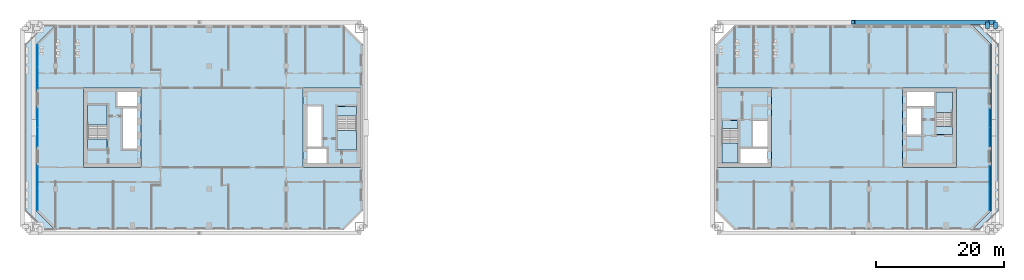
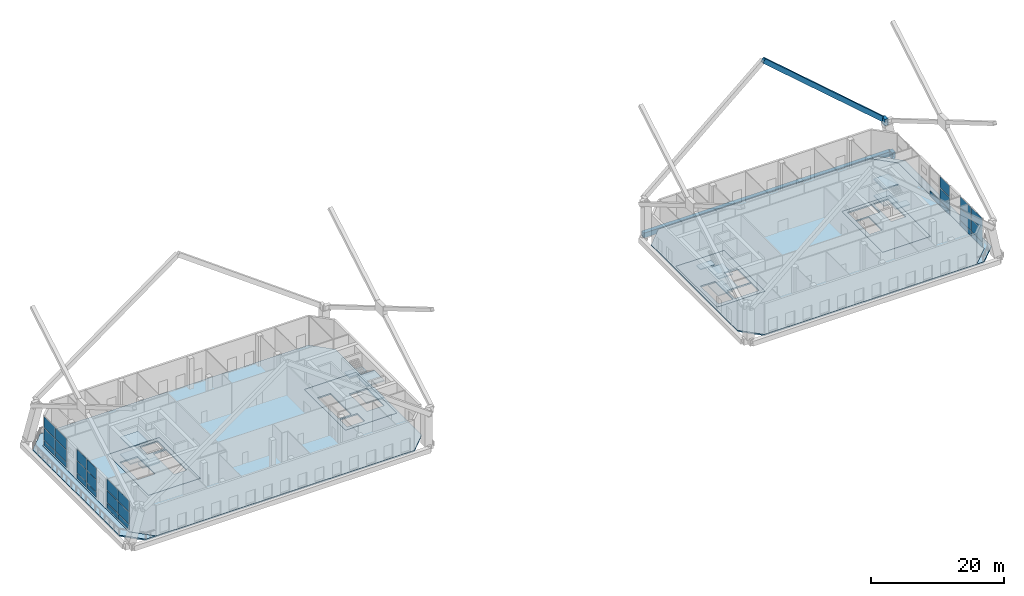
# One storey, part 7 of 20: 28 plates, 20 slabs, 3 beams, 1 member, 9 elements without a shape of their own.
"""IFC4 building model written with IfcOpenShell, lengths in metres."""

from ifc_helpers import new_model, si_unit, direction, frame, origin, origin_2d, place, context, subcontext, project, spatial, polyline, rectangle, hollow_rectangle, outline, extrude, material, layer, layer_set, material_profile, profile_set, type_object, element, aggregate, save


model = new_model("IFC4")

# Units and contexts
model_context = context("Model", 3, precision=1e-05, world=origin(), true_north=direction((0.0, 1.0)))
body_context = subcontext(model_context, "Body", "Model", "MODEL_VIEW")
ifc_project = project(units=[si_unit("LENGTHUNIT", "METRE"), si_unit("AREAUNIT", "SQUARE_METRE"), si_unit("VOLUMEUNIT", "CUBIC_METRE"), si_unit("PLANEANGLEUNIT", "RADIAN"), si_unit("MASSUNIT", "GRAM", prefix="KILO")], contexts=[model_context])

# Site, building, storey
site_placement = place(None, origin())
site = spatial("IfcSite", under=ifc_project, at=site_placement, CompositionType="ELEMENT")
building_placement = place(site_placement, origin())
building = spatial("IfcBuilding", under=site, at=building_placement, Name="Tuart Gate Housing", CompositionType="ELEMENT")
storey_placement = place(building_placement, frame((0.0, 0.0, 90.199951171875)))
storey = spatial("IfcBuildingStorey", under=building, at=storey_placement, Name="L25", CompositionType="ELEMENT", Elevation=90.199951171875)

# Beams
ifc_material_1 = material(Name="Steel Grade 350", Category="steel")
ifc_material_profile_1 = material_profile(ifc_material_1, hollow_rectangle(XDim=0.60009765625, YDim=1.199951171875, WallThickness=0.0400390625, at=origin_2d()), Name="BOX 1200x600x40")
ifc_profile_set_1 = profile_set([ifc_material_profile_1], Name="Steel Grade 350")
beam_type_1 = type_object("IfcBeamType", Name="Brace shoe BOX 1200x600x40", PredefinedType="BEAM", material=ifc_profile_set_1)
for number, where, z_axis, x_axis, name in (
    (1, (174.699951171875, 85.449951171875, -0.39990234375), (0.0, 1.0, 0.0), (-1.0, 0.0, 0.0), "Mega tie beam B node 3 north shoe 1 L25"),
    (2, (173.449951171875, 85.449951171875, 6.199951171875), (0.0, 1.0, 0.0), (-1.0, 0.0, 0.0), "Mega brace shoe B zone 4 north chevron 2"),
):
    element("IfcBeam", number, at=place(storey_placement, frame(where, z_axis=z_axis, x_axis=x_axis)), inside=storey, type_object=beam_type_1, Name=name, PredefinedType="BEAM", context=body_context, shape_type="SweptSolid", body=[
        extrude(hollow_rectangle(XDim=0.60009765625, YDim=1.199951171875, WallThickness=0.0400390625, at=origin_2d()), origin(), (0.0, 0.0, 1.0), 1.0),
    ])

# Member
ifc_material_2 = material(Name="Steel Grade 350", Category="steel")
ifc_material_profile_2 = material_profile(ifc_material_2, hollow_rectangle(XDim=0.639892578125, YDim=0.800048828125, WallThickness=0.0400390625, at=origin_2d()), Name="BOX 800x640x40")
ifc_profile_set_2 = profile_set([ifc_material_profile_2], Name="Steel Grade 350")
member_type = type_object("IfcMemberType", Name="Mega brace BOX 800x640x40", PredefinedType="BRACE", material=ifc_profile_set_2)
member_placement = place(storey_placement, frame((173.449951171875, 86.449951171875, 6.199951171875), z_axis=(-0.754911501589, 0.0, 0.65582667281), x_axis=(0.0, -1.0, 0.0)))
element("IfcMember", 3, at=member_placement, inside=storey, type_object=member_type, Name="Mega brace B zone 4 north chevron 2", PredefinedType="BRACE", context=body_context, shape_type="SweptSolid", body=[
    extrude(hollow_rectangle(XDim=0.639892578125, YDim=0.800048828125, WallThickness=0.0400390625, at=origin_2d()), origin(), (0.0, 0.0, 1.0), 27.75146484375),
])

# Beam
ifc_material_3 = material(Name="Steel Grade 350", Category="steel")
ifc_material_profile_3 = material_profile(ifc_material_3, hollow_rectangle(XDim=0.699951171875, YDim=0.89990234375, WallThickness=0.0400390625, at=origin_2d()), Name="BOX 900x700x40")
ifc_profile_set_3 = profile_set([ifc_material_profile_3], Name="Steel Grade 350")
beam_type_2 = type_object("IfcBeamType", Name="Tie beam BOX 900x700x40 (40.6-51.7 m)", PredefinedType="BEAM", material=ifc_profile_set_3)
beam_placement = place(storey_placement, frame((131.550048828125, 86.449951171875, -0.39990234375), z_axis=(1.0, 0.0, 0.0), x_axis=(0.0, 1.0, 0.0)))
element("IfcBeam", 4, at=beam_placement, inside=storey, type_object=beam_type_2, Name="Mega tie beam B node 3 north L25", PredefinedType="BEAM", context=body_context, shape_type="SweptSolid", body=[
    extrude(hollow_rectangle(XDim=0.699951171875, YDim=0.89990234375, WallThickness=0.0400390625, at=origin_2d()), origin(), (0.0, 0.0, 1.0), 43.14990234375),
])

# Slabs
ifc_material_4 = material(Name="Concrete C40", Category="concrete")
ifc_layer_1 = layer(ifc_material_4, 0.25)
ifc_layer_set_1 = layer_set([ifc_layer_1], Name="Core floor slab 250")
slab_type_1 = type_object("IfcSlabType", Name="Core floor slab 250", PredefinedType="FLOOR", material=ifc_layer_set_1)
slab_1_placement = place(storey_placement, frame((0.0, 0.0, -0.25)))
element("IfcSlab", 5, at=slab_1_placement, inside=storey, type_object=slab_type_1, Name="Core floor AG", PredefinedType="FLOOR", context=body_context, shape_type="SweptSolid", body=[
    extrude(outline(polyline([(66.639892578125, 63.800048828125), (75.639892578125, 63.800048828125), (75.639892578125, 76.199951171875), (66.639892578125, 76.199951171875), (66.639892578125, 63.800048828125)]), holes=[polyline([(67.2900390625, 64.449951171875), (70.360107421875, 64.449951171875), (70.360107421875, 66.699951171875), (67.2900390625, 66.699951171875), (67.2900390625, 64.449951171875)]), polyline([(67.2900390625, 67.0), (69.5400390625, 67.0), (69.5400390625, 73.300048828125), (67.2900390625, 73.300048828125), (67.2900390625, 67.0)]), polyline([(71.93994140625, 66.5), (74.989990234375, 66.5), (74.989990234375, 71.780029296875), (71.93994140625, 71.780029296875), (71.93994140625, 66.5)])]), origin(), (0.0, 0.0, 1.0), 0.25),
])
slab_2_placement = place(storey_placement, frame((0.0, 0.0, -0.25)))
element("IfcSlab", 6, at=slab_2_placement, inside=storey, type_object=slab_type_1, Name="Core floor AK", PredefinedType="FLOOR", context=body_context, shape_type="SweptSolid", body=[
    extrude(outline(polyline([(32.360107421875, 63.800048828125), (41.360107421875, 63.800048828125), (41.360107421875, 76.199951171875), (32.360107421875, 76.199951171875), (32.360107421875, 63.800048828125)]), holes=[polyline([(40.7099609375, 75.550048828125), (37.639892578125, 75.550048828125), (37.639892578125, 73.300048828125), (40.7099609375, 73.300048828125), (40.7099609375, 75.550048828125)]), polyline([(40.7099609375, 73.0), (38.4599609375, 73.0), (38.4599609375, 66.699951171875), (40.7099609375, 66.699951171875), (40.7099609375, 73.0)]), polyline([(36.06005859375, 73.5), (33.010009765625, 73.5), (33.010009765625, 68.219970703125), (36.06005859375, 68.219970703125), (36.06005859375, 73.5)])]), origin(), (0.0, 0.0, 1.0), 0.25),
])
slab_3_placement = place(storey_placement, frame((0.0, 0.0, -0.25)))
element("IfcSlab", 7, at=slab_3_placement, inside=storey, type_object=slab_type_1, Name="Core floor BG", PredefinedType="FLOOR", context=body_context, shape_type="SweptSolid", body=[
    extrude(outline(polyline([(131.360107421875, 63.800048828125), (139.760009765625, 63.800048828125), (139.760009765625, 76.199951171875), (131.360107421875, 76.199951171875), (131.360107421875, 63.800048828125)]), holes=[polyline([(139.110107421875, 66.85009765625), (134.860107421875, 66.85009765625), (134.860107421875, 64.449951171875), (139.110107421875, 64.449951171875), (139.110107421875, 66.85009765625)]), polyline([(139.110107421875, 71.10009765625), (136.860107421875, 71.10009765625), (136.860107421875, 67.0), (139.110107421875, 67.0), (139.110107421875, 71.10009765625)]), polyline([(134.56005859375, 69.830078125), (132.010009765625, 69.830078125), (132.010009765625, 64.449951171875), (134.56005859375, 64.449951171875), (134.56005859375, 69.830078125)])]), origin(), (0.0, 0.0, 1.0), 0.25),
])
slab_4_placement = place(storey_placement, frame((0.0, 0.0, -0.25)))
element("IfcSlab", 8, at=slab_4_placement, inside=storey, type_object=slab_type_1, Name="Core floor BK", PredefinedType="FLOOR", context=body_context, shape_type="SweptSolid", body=[
    extrude(outline(polyline([(160.239990234375, 63.800048828125), (168.639892578125, 63.800048828125), (168.639892578125, 76.199951171875), (160.239990234375, 76.199951171875), (160.239990234375, 63.800048828125)]), holes=[polyline([(160.889892578125, 73.14990234375), (165.139892578125, 73.14990234375), (165.139892578125, 75.550048828125), (160.889892578125, 75.550048828125), (160.889892578125, 73.14990234375)]), polyline([(160.889892578125, 68.89990234375), (163.139892578125, 68.89990234375), (163.139892578125, 73.0), (160.889892578125, 73.0), (160.889892578125, 68.89990234375)]), polyline([(165.43994140625, 70.169921875), (167.989990234375, 70.169921875), (167.989990234375, 75.550048828125), (165.43994140625, 75.550048828125), (165.43994140625, 70.169921875)])]), origin(), (0.0, 0.0, 1.0), 0.25),
])
ifc_material_5 = material(Name="Concrete C40", Category="concrete")
ifc_layer_2 = layer(ifc_material_5, 0.25)
ifc_layer_set_2 = layer_set([ifc_layer_2], Name="Flat plate 250")
slab_type_2 = type_object("IfcSlabType", Name="Flat plate 250", PredefinedType="FLOOR", material=ifc_layer_set_2)
slab_5_placement = place(storey_placement, frame((0.0, 0.0, -0.25)))
element("IfcSlab", 9, at=slab_5_placement, inside=storey, type_object=slab_type_2, Name="Floor slab A L25", PredefinedType="FLOOR", context=body_context, shape_type="SweptSolid", body=[
    extrude(outline(polyline([(28.0, 86.0), (25.0, 83.0), (25.0, 57.0), (28.0, 54.0), (73.0, 54.0), (76.0, 57.0), (76.0, 83.0), (73.0, 86.0), (28.0, 86.0)]), holes=[polyline([(66.639892578125, 76.199951171875), (75.639892578125, 76.199951171875), (75.639892578125, 63.800048828125), (66.639892578125, 63.800048828125), (66.639892578125, 76.199951171875)]), polyline([(41.360107421875, 76.199951171875), (41.360107421875, 63.800048828125), (32.360107421875, 63.800048828125), (32.360107421875, 76.199951171875), (41.360107421875, 76.199951171875)])]), origin(), (0.0, 0.0, 1.0), 0.25),
])
slab_6_placement = place(storey_placement, frame((0.0, 0.0, -0.25)))
element("IfcSlab", 10, at=slab_6_placement, inside=storey, type_object=slab_type_2, Name="Floor slab B L25", PredefinedType="FLOOR", context=body_context, shape_type="SweptSolid", body=[
    extrude(outline(polyline([(134.0, 86.0), (131.0, 83.0), (131.0, 57.0), (134.0, 54.0), (171.0, 54.0), (174.0, 57.0), (174.0, 83.0), (171.0, 86.0), (134.0, 86.0)]), holes=[polyline([(131.360107421875, 76.199951171875), (139.760009765625, 76.199951171875), (139.760009765625, 63.800048828125), (131.360107421875, 63.800048828125), (131.360107421875, 76.199951171875)]), polyline([(168.639892578125, 76.199951171875), (168.639892578125, 63.800048828125), (160.239990234375, 63.800048828125), (160.239990234375, 76.199951171875), (168.639892578125, 76.199951171875)])]), origin(), (0.0, 0.0, 1.0), 0.25),
])

# Curtain wall, plates
ifc_material_6 = material(Name="Aluminium and clear glass", Category="aluminium")
curtain_wall_type = type_object("IfcCurtainWallType", Name="Sky garden front glazing", PredefinedType="USERDEFINED", material=ifc_material_6)
curtain_wall_1_placement = place(storey_placement, origin())
curtain_wall_1 = element("IfcCurtainWall", 11, at=curtain_wall_1_placement, inside=storey, type_object=curtain_wall_type, Name="Sky garden front glazing A-W L25", ObjectType="SKY GARDEN FRONT GLAZING", PredefinedType="USERDEFINED")
ifc_material_7 = material(Name="Clear glass", Category="glass")
ifc_layer_3 = layer(ifc_material_7, 0.028076171875)
ifc_layer_set_3 = layer_set([ifc_layer_3], Name="Glazed panel 28")
plate_type = type_object("IfcPlateType", Name="Glazed panel 28", PredefinedType="CURTAIN_PANEL", material=ifc_layer_set_3)
plate_1_placement = place(storey_placement, frame((25.179931640625, 81.178955078125, 0.1201171875), z_axis=(0.0, 0.0, 1.0), x_axis=(0.0, -1.0, 0.0)))
plate_1 = element("IfcPlate", 12, at=plate_1_placement, type_object=plate_type, Name="CW4 panel 1.1", PredefinedType="CURTAIN_PANEL", context=body_context, shape_type="SweptSolid", body=[
    extrude(rectangle(XDim=3.372802734375, YDim=0.028076171875, at=origin_2d()), origin(), (0.0, 0.0, 1.0), 0.919921875),
])
plate_2_placement = place(storey_placement, frame((25.179931640625, 81.178955078125, 1.16015625), z_axis=(0.0, 0.0, 1.0), x_axis=(0.0, -1.0, 0.0)))
plate_2 = element("IfcPlate", 13, at=plate_2_placement, type_object=plate_type, Name="CW4 panel 1.2", PredefinedType="CURTAIN_PANEL", context=body_context, shape_type="SweptSolid", body=[
    extrude(rectangle(XDim=3.372802734375, YDim=0.028076171875, at=origin_2d()), origin(), (0.0, 0.0, 1.0), 2.179931640625),
])
plate_3_placement = place(storey_placement, frame((25.179931640625, 81.178955078125, 3.4599609375), z_axis=(0.0, 0.0, 1.0), x_axis=(0.0, -1.0, 0.0)))
plate_3 = element("IfcPlate", 14, at=plate_3_placement, type_object=plate_type, Name="CW4 panel 1.3", PredefinedType="CURTAIN_PANEL", context=body_context, shape_type="SweptSolid", body=[
    extrude(rectangle(XDim=3.372802734375, YDim=0.028076171875, at=origin_2d()), origin(), (0.0, 0.0, 1.0), 2.02001953125),
])
plate_4_placement = place(storey_placement, frame((25.179931640625, 77.746337890625, 0.1201171875), z_axis=(0.0, 0.0, 1.0), x_axis=(0.0, -1.0, 0.0)))
plate_4 = element("IfcPlate", 15, at=plate_4_placement, type_object=plate_type, Name="CW4 panel 2.1", PredefinedType="CURTAIN_PANEL", context=body_context, shape_type="SweptSolid", body=[
    extrude(rectangle(XDim=3.372802734375, YDim=0.028076171875, at=origin_2d()), origin(), (0.0, 0.0, 1.0), 0.919921875),
])
plate_5_placement = place(storey_placement, frame((25.179931640625, 77.746337890625, 1.16015625), z_axis=(0.0, 0.0, 1.0), x_axis=(0.0, -1.0, 0.0)))
plate_5 = element("IfcPlate", 16, at=plate_5_placement, type_object=plate_type, Name="CW4 panel 2.2", PredefinedType="CURTAIN_PANEL", context=body_context, shape_type="SweptSolid", body=[
    extrude(rectangle(XDim=3.372802734375, YDim=0.028076171875, at=origin_2d()), origin(), (0.0, 0.0, 1.0), 2.179931640625),
])
plate_6_placement = place(storey_placement, frame((25.179931640625, 77.746337890625, 3.4599609375), z_axis=(0.0, 0.0, 1.0), x_axis=(0.0, -1.0, 0.0)))
plate_6 = element("IfcPlate", 17, at=plate_6_placement, type_object=plate_type, Name="CW4 panel 2.3", PredefinedType="CURTAIN_PANEL", context=body_context, shape_type="SweptSolid", body=[
    extrude(rectangle(XDim=3.372802734375, YDim=0.028076171875, at=origin_2d()), origin(), (0.0, 0.0, 1.0), 2.02001953125),
])
aggregate(curtain_wall_1, [plate_1, plate_2, plate_3, plate_4, plate_5, plate_6])

curtain_wall_2_placement = place(storey_placement, origin())
curtain_wall_2 = element("IfcCurtainWall", 18, at=curtain_wall_2_placement, inside=storey, type_object=curtain_wall_type, Name="Sky garden front glazing A-W L25", ObjectType="SKY GARDEN FRONT GLAZING", PredefinedType="USERDEFINED")
plate_7_placement = place(storey_placement, frame((25.179931640625, 71.485107421875, 0.1201171875), z_axis=(0.0, 0.0, 1.0), x_axis=(0.0, -1.0, 0.0)))
plate_7 = element("IfcPlate", 19, at=plate_7_placement, type_object=plate_type, Name="CW4 panel 1.1", PredefinedType="CURTAIN_PANEL", context=body_context, shape_type="SweptSolid", body=[
    extrude(rectangle(XDim=2.909912109375, YDim=0.028076171875, at=origin_2d()), origin(), (0.0, 0.0, 1.0), 0.919921875),
])
plate_8_placement = place(storey_placement, frame((25.179931640625, 71.485107421875, 1.16015625), z_axis=(0.0, 0.0, 1.0), x_axis=(0.0, -1.0, 0.0)))
plate_8 = element("IfcPlate", 20, at=plate_8_placement, type_object=plate_type, Name="CW4 panel 1.2", PredefinedType="CURTAIN_PANEL", context=body_context, shape_type="SweptSolid", body=[
    extrude(rectangle(XDim=2.909912109375, YDim=0.028076171875, at=origin_2d()), origin(), (0.0, 0.0, 1.0), 2.179931640625),
])
plate_9_placement = place(storey_placement, frame((25.179931640625, 71.485107421875, 3.4599609375), z_axis=(0.0, 0.0, 1.0), x_axis=(0.0, -1.0, 0.0)))
plate_9 = element("IfcPlate", 21, at=plate_9_placement, type_object=plate_type, Name="CW4 panel 1.3", PredefinedType="CURTAIN_PANEL", context=body_context, shape_type="SweptSolid", body=[
    extrude(rectangle(XDim=2.909912109375, YDim=0.028076171875, at=origin_2d()), origin(), (0.0, 0.0, 1.0), 2.02001953125),
])
plate_10_placement = place(storey_placement, frame((25.179931640625, 68.514892578125, 0.1201171875), z_axis=(0.0, 0.0, 1.0), x_axis=(0.0, -1.0, 0.0)))
plate_10 = element("IfcPlate", 22, at=plate_10_placement, type_object=plate_type, Name="CW4 panel 2.1", PredefinedType="CURTAIN_PANEL", context=body_context, shape_type="SweptSolid", body=[
    extrude(rectangle(XDim=2.909912109375, YDim=0.028076171875, at=origin_2d()), origin(), (0.0, 0.0, 1.0), 0.919921875),
])
plate_11_placement = place(storey_placement, frame((25.179931640625, 68.514892578125, 1.16015625), z_axis=(0.0, 0.0, 1.0), x_axis=(0.0, -1.0, 0.0)))
plate_11 = element("IfcPlate", 23, at=plate_11_placement, type_object=plate_type, Name="CW4 panel 2.2", PredefinedType="CURTAIN_PANEL", context=body_context, shape_type="SweptSolid", body=[
    extrude(rectangle(XDim=2.909912109375, YDim=0.028076171875, at=origin_2d()), origin(), (0.0, 0.0, 1.0), 2.179931640625),
])
plate_12_placement = place(storey_placement, frame((25.179931640625, 68.514892578125, 3.4599609375), z_axis=(0.0, 0.0, 1.0), x_axis=(0.0, -1.0, 0.0)))
plate_12 = element("IfcPlate", 24, at=plate_12_placement, type_object=plate_type, Name="CW4 panel 2.3", PredefinedType="CURTAIN_PANEL", context=body_context, shape_type="SweptSolid", body=[
    extrude(rectangle(XDim=2.909912109375, YDim=0.028076171875, at=origin_2d()), origin(), (0.0, 0.0, 1.0), 2.02001953125),
])
aggregate(curtain_wall_2, [plate_7, plate_8, plate_9, plate_10, plate_11, plate_12])

curtain_wall_3_placement = place(storey_placement, origin())
curtain_wall_3 = element("IfcCurtainWall", 25, at=curtain_wall_3_placement, inside=storey, type_object=curtain_wall_type, Name="Sky garden front glazing A-W L25", ObjectType="SKY GARDEN FRONT GLAZING", PredefinedType="USERDEFINED")
plate_13_placement = place(storey_placement, frame((25.179931640625, 62.253662109375, 0.1201171875), z_axis=(0.0, 0.0, 1.0), x_axis=(0.0, -1.0, 0.0)))
plate_13 = element("IfcPlate", 26, at=plate_13_placement, type_object=plate_type, Name="CW4 panel 1.1", PredefinedType="CURTAIN_PANEL", context=body_context, shape_type="SweptSolid", body=[
    extrude(rectangle(XDim=3.372802734375, YDim=0.028076171875, at=origin_2d()), origin(), (0.0, 0.0, 1.0), 0.919921875),
])
plate_14_placement = place(storey_placement, frame((25.179931640625, 62.253662109375, 1.16015625), z_axis=(0.0, 0.0, 1.0), x_axis=(0.0, -1.0, 0.0)))
plate_14 = element("IfcPlate", 27, at=plate_14_placement, type_object=plate_type, Name="CW4 panel 1.2", PredefinedType="CURTAIN_PANEL", context=body_context, shape_type="SweptSolid", body=[
    extrude(rectangle(XDim=3.372802734375, YDim=0.028076171875, at=origin_2d()), origin(), (0.0, 0.0, 1.0), 2.179931640625),
])
plate_15_placement = place(storey_placement, frame((25.179931640625, 62.253662109375, 3.4599609375), z_axis=(0.0, 0.0, 1.0), x_axis=(0.0, -1.0, 0.0)))
plate_15 = element("IfcPlate", 28, at=plate_15_placement, type_object=plate_type, Name="CW4 panel 1.3", PredefinedType="CURTAIN_PANEL", context=body_context, shape_type="SweptSolid", body=[
    extrude(rectangle(XDim=3.372802734375, YDim=0.028076171875, at=origin_2d()), origin(), (0.0, 0.0, 1.0), 2.02001953125),
])
plate_16_placement = place(storey_placement, frame((25.179931640625, 58.82080078125, 0.1201171875), z_axis=(0.0, 0.0, 1.0), x_axis=(0.0, -1.0, 0.0)))
plate_16 = element("IfcPlate", 29, at=plate_16_placement, type_object=plate_type, Name="CW4 panel 2.1", PredefinedType="CURTAIN_PANEL", context=body_context, shape_type="SweptSolid", body=[
    extrude(rectangle(XDim=3.372802734375, YDim=0.028076171875, at=origin_2d()), origin(), (0.0, 0.0, 1.0), 0.919921875),
])
plate_17_placement = place(storey_placement, frame((25.179931640625, 58.82080078125, 1.16015625), z_axis=(0.0, 0.0, 1.0), x_axis=(0.0, -1.0, 0.0)))
plate_17 = element("IfcPlate", 30, at=plate_17_placement, type_object=plate_type, Name="CW4 panel 2.2", PredefinedType="CURTAIN_PANEL", context=body_context, shape_type="SweptSolid", body=[
    extrude(rectangle(XDim=3.372802734375, YDim=0.028076171875, at=origin_2d()), origin(), (0.0, 0.0, 1.0), 2.179931640625),
])
plate_18_placement = place(storey_placement, frame((25.179931640625, 58.82080078125, 3.4599609375), z_axis=(0.0, 0.0, 1.0), x_axis=(0.0, -1.0, 0.0)))
plate_18 = element("IfcPlate", 31, at=plate_18_placement, type_object=plate_type, Name="CW4 panel 2.3", PredefinedType="CURTAIN_PANEL", context=body_context, shape_type="SweptSolid", body=[
    extrude(rectangle(XDim=3.372802734375, YDim=0.028076171875, at=origin_2d()), origin(), (0.0, 0.0, 1.0), 2.02001953125),
])
aggregate(curtain_wall_3, [plate_13, plate_14, plate_15, plate_16, plate_17, plate_18])

curtain_wall_4_placement = place(storey_placement, origin())
curtain_wall_4 = element("IfcCurtainWall", 32, at=curtain_wall_4_placement, inside=storey, type_object=curtain_wall_type, Name="Sky garden front glazing B-E L25", ObjectType="SKY GARDEN FRONT GLAZING", PredefinedType="USERDEFINED")
plate_19_placement = place(storey_placement, frame((173.820068359375, 58.821044921875, 0.1201171875), z_axis=(0.0, 0.0, 1.0), x_axis=(0.0, 1.0, 0.0)))
plate_19 = element("IfcPlate", 33, at=plate_19_placement, type_object=plate_type, Name="CW4 panel 1.1", PredefinedType="CURTAIN_PANEL", context=body_context, shape_type="SweptSolid", body=[
    extrude(rectangle(XDim=3.372802734375, YDim=0.028076171875, at=origin_2d()), origin(), (0.0, 0.0, 1.0), 0.919921875),
])
plate_20_placement = place(storey_placement, frame((173.820068359375, 58.821044921875, 1.16015625), z_axis=(0.0, 0.0, 1.0), x_axis=(0.0, 1.0, 0.0)))
plate_20 = element("IfcPlate", 34, at=plate_20_placement, type_object=plate_type, Name="CW4 panel 1.2", PredefinedType="CURTAIN_PANEL", context=body_context, shape_type="SweptSolid", body=[
    extrude(rectangle(XDim=3.372802734375, YDim=0.028076171875, at=origin_2d()), origin(), (0.0, 0.0, 1.0), 2.179931640625),
])
plate_21_placement = place(storey_placement, frame((173.820068359375, 58.821044921875, 3.4599609375), z_axis=(0.0, 0.0, 1.0), x_axis=(0.0, 1.0, 0.0)))
plate_21 = element("IfcPlate", 35, at=plate_21_placement, type_object=plate_type, Name="CW4 panel 1.3", PredefinedType="CURTAIN_PANEL", context=body_context, shape_type="SweptSolid", body=[
    extrude(rectangle(XDim=3.372802734375, YDim=0.028076171875, at=origin_2d()), origin(), (0.0, 0.0, 1.0), 2.02001953125),
])
plate_22_placement = place(storey_placement, frame((173.820068359375, 62.253662109375, 0.1201171875), z_axis=(0.0, 0.0, 1.0), x_axis=(0.0, 1.0, 0.0)))
plate_22 = element("IfcPlate", 36, at=plate_22_placement, type_object=plate_type, Name="CW4 panel 2.1", PredefinedType="CURTAIN_PANEL", context=body_context, shape_type="SweptSolid", body=[
    extrude(rectangle(XDim=3.372802734375, YDim=0.028076171875, at=origin_2d()), origin(), (0.0, 0.0, 1.0), 0.919921875),
])
plate_23_placement = place(storey_placement, frame((173.820068359375, 62.253662109375, 1.16015625), z_axis=(0.0, 0.0, 1.0), x_axis=(0.0, 1.0, 0.0)))
plate_23 = element("IfcPlate", 37, at=plate_23_placement, type_object=plate_type, Name="CW4 panel 2.2", PredefinedType="CURTAIN_PANEL", context=body_context, shape_type="SweptSolid", body=[
    extrude(rectangle(XDim=3.372802734375, YDim=0.028076171875, at=origin_2d()), origin(), (0.0, 0.0, 1.0), 2.179931640625),
])
plate_24_placement = place(storey_placement, frame((173.820068359375, 62.253662109375, 3.4599609375), z_axis=(0.0, 0.0, 1.0), x_axis=(0.0, 1.0, 0.0)))
plate_24 = element("IfcPlate", 38, at=plate_24_placement, type_object=plate_type, Name="CW4 panel 2.3", PredefinedType="CURTAIN_PANEL", context=body_context, shape_type="SweptSolid", body=[
    extrude(rectangle(XDim=3.372802734375, YDim=0.028076171875, at=origin_2d()), origin(), (0.0, 0.0, 1.0), 2.02001953125),
])
aggregate(curtain_wall_4, [plate_19, plate_20, plate_21, plate_22, plate_23, plate_24])

curtain_wall_5_placement = place(storey_placement, origin())
curtain_wall_5 = element("IfcCurtainWall", 39, at=curtain_wall_5_placement, inside=storey, type_object=curtain_wall_type, Name="Sky garden front glazing B-E L25", ObjectType="SKY GARDEN FRONT GLAZING", PredefinedType="USERDEFINED")
plate_25_placement = place(storey_placement, frame((173.820068359375, 68.514892578125, 0.1201171875), z_axis=(0.0, 0.0, 1.0), x_axis=(0.0, 1.0, 0.0)))
plate_25 = element("IfcPlate", 40, at=plate_25_placement, type_object=plate_type, Name="CW4 panel 1.1", PredefinedType="CURTAIN_PANEL", context=body_context, shape_type="SweptSolid", body=[
    extrude(rectangle(XDim=2.909912109375, YDim=0.028076171875, at=origin_2d()), origin(), (0.0, 0.0, 1.0), 0.919921875),
])
plate_26_placement = place(storey_placement, frame((173.820068359375, 68.514892578125, 1.16015625), z_axis=(0.0, 0.0, 1.0), x_axis=(0.0, 1.0, 0.0)))
plate_26 = element("IfcPlate", 41, at=plate_26_placement, type_object=plate_type, Name="CW4 panel 1.2", PredefinedType="CURTAIN_PANEL", context=body_context, shape_type="SweptSolid", body=[
    extrude(rectangle(XDim=2.909912109375, YDim=0.028076171875, at=origin_2d()), origin(), (0.0, 0.0, 1.0), 2.179931640625),
])
plate_27_placement = place(storey_placement, frame((173.820068359375, 68.514892578125, 3.4599609375), z_axis=(0.0, 0.0, 1.0), x_axis=(0.0, 1.0, 0.0)))
plate_27 = element("IfcPlate", 42, at=plate_27_placement, type_object=plate_type, Name="CW4 panel 1.3", PredefinedType="CURTAIN_PANEL", context=body_context, shape_type="SweptSolid", body=[
    extrude(rectangle(XDim=2.909912109375, YDim=0.028076171875, at=origin_2d()), origin(), (0.0, 0.0, 1.0), 2.02001953125),
])
plate_28_placement = place(storey_placement, frame((173.820068359375, 71.485107421875, 0.1201171875), z_axis=(0.0, 0.0, 1.0), x_axis=(0.0, 1.0, 0.0)))
plate_28 = element("IfcPlate", 43, at=plate_28_placement, type_object=plate_type, Name="CW4 panel 2.1", PredefinedType="CURTAIN_PANEL", context=body_context, shape_type="SweptSolid", body=[
    extrude(rectangle(XDim=2.909912109375, YDim=0.028076171875, at=origin_2d()), origin(), (0.0, 0.0, 1.0), 0.919921875),
])
aggregate(curtain_wall_5, [plate_25, plate_26, plate_27, plate_28])

# Slabs
ifc_material_8 = material(Name="Concrete C40", Category="concrete")
ifc_layer_4 = layer(ifc_material_8, 0.25)
ifc_layer_set_4 = layer_set([ifc_layer_4], Name="Roof slab 250")
slab_type_3 = type_object("IfcSlabType", Name="Roof slab 250", PredefinedType="ROOF", material=ifc_layer_set_4)
slab_7_placement = place(storey_placement, frame((0.0, 0.0, -0.25)))
element("IfcSlab", 44, at=slab_7_placement, inside=storey, type_object=slab_type_3, Name="Setback roof slab A L25", PredefinedType="ROOF", context=body_context, shape_type="SweptSolid", body=[
    extrude(outline(polyline([(26.25, 54.0), (28.0, 54.0), (25.0, 57.0), (25.0, 83.0), (28.0, 86.0), (26.25, 86.0), (23.25, 83.0), (23.25, 57.0), (26.25, 54.0)])), origin(), (0.0, 0.0, 1.0), 0.25),
])
slab_8_placement = place(storey_placement, frame((0.0, 0.0, -0.25)))
element("IfcSlab", 45, at=slab_8_placement, inside=storey, type_object=slab_type_3, Name="Setback roof slab B L25", PredefinedType="ROOF", context=body_context, shape_type="SweptSolid", body=[
    extrude(outline(polyline([(172.25, 86.0), (171.0, 86.0), (174.0, 83.0), (174.0, 57.0), (171.0, 54.0), (172.25, 54.0), (175.25, 57.0), (175.25, 83.0), (172.25, 86.0)])), origin(), (0.0, 0.0, 1.0), 0.25),
])

# Stair, slabs
ifc_material_9 = material(Name="Concrete C40", Category="concrete")
stair_type_1 = type_object("IfcStairType", Name="Core stair 1500", PredefinedType="HALF_TURN_STAIR", material=ifc_material_9)
stair_1_placement = place(storey_placement, origin())
stair_1 = element("IfcStair", 46, at=stair_1_placement, inside=storey, type_object=stair_type_1, Name="Stair SA1", PredefinedType="HALF_TURN_STAIR")
ifc_material_10 = material(Name="Concrete C40", Category="concrete")
ifc_layer_5 = layer(ifc_material_10, 0.199951171875)
ifc_layer_set_5 = layer_set([ifc_layer_5], Name="Stair landing 200")
slab_type_4 = type_object("IfcSlabType", Name="Stair landing 200", PredefinedType="LANDING", material=ifc_layer_set_5)
slab_9_placement = place(storey_placement, frame((0.0, 0.0, 1.35009765625)))
slab_9 = element("IfcSlab", 47, at=slab_9_placement, type_object=slab_type_4, Name="SA1 landing 1", PredefinedType="LANDING", context=body_context, shape_type="SweptSolid", body=[
    extrude(outline(polyline([(71.93994140625, 66.5), (74.989990234375, 66.5), (74.989990234375, 69.56005859375), (71.93994140625, 69.56005859375), (71.93994140625, 66.5)])), origin(), (0.0, 0.0, 1.0), 0.199951171875),
])
slab_10_placement = place(storey_placement, frame((0.0, 0.0, 2.900146484375)))
slab_10 = element("IfcSlab", 48, at=slab_10_placement, type_object=slab_type_4, Name="SA1 landing 2", PredefinedType="LANDING", context=body_context, shape_type="SweptSolid", body=[
    extrude(outline(polyline([(71.93994140625, 73.300048828125), (71.93994140625, 71.800048828125), (74.989990234375, 71.800048828125), (74.989990234375, 73.300048828125), (71.93994140625, 73.300048828125)])), origin(), (0.0, 0.0, 1.0), 0.199951171875),
])
slab_11_placement = place(storey_placement, frame((0.0, 0.0, 4.449951171875)))
slab_11 = element("IfcSlab", 49, at=slab_11_placement, type_object=slab_type_4, Name="SA1 landing 3", PredefinedType="LANDING", context=body_context, shape_type="SweptSolid", body=[
    extrude(outline(polyline([(71.93994140625, 66.5), (74.989990234375, 66.5), (74.989990234375, 69.56005859375), (71.93994140625, 69.56005859375), (71.93994140625, 66.5)])), origin(), (0.0, 0.0, 1.0), 0.2001953125),
])
aggregate(stair_1, [slab_9, slab_10, slab_11])

stair_2_placement = place(storey_placement, origin())
stair_2 = element("IfcStair", 50, at=stair_2_placement, inside=storey, type_object=stair_type_1, Name="Stair SA2", PredefinedType="HALF_TURN_STAIR")
slab_12_placement = place(storey_placement, frame((0.0, 0.0, 1.35009765625)))
slab_12 = element("IfcSlab", 51, at=slab_12_placement, type_object=slab_type_4, Name="SA2 landing 1", PredefinedType="LANDING", context=body_context, shape_type="SweptSolid", body=[
    extrude(outline(polyline([(36.06005859375, 73.5), (33.010009765625, 73.5), (33.010009765625, 70.43994140625), (36.06005859375, 70.43994140625), (36.06005859375, 73.5)])), origin(), (0.0, 0.0, 1.0), 0.199951171875),
])
slab_13_placement = place(storey_placement, frame((0.0, 0.0, 2.900146484375)))
slab_13 = element("IfcSlab", 52, at=slab_13_placement, type_object=slab_type_4, Name="SA2 landing 2", PredefinedType="LANDING", context=body_context, shape_type="SweptSolid", body=[
    extrude(outline(polyline([(36.06005859375, 66.699951171875), (36.06005859375, 68.199951171875), (33.010009765625, 68.199951171875), (33.010009765625, 66.699951171875), (36.06005859375, 66.699951171875)])), origin(), (0.0, 0.0, 1.0), 0.199951171875),
])
slab_14_placement = place(storey_placement, frame((0.0, 0.0, 4.449951171875)))
slab_14 = element("IfcSlab", 53, at=slab_14_placement, type_object=slab_type_4, Name="SA2 landing 3", PredefinedType="LANDING", context=body_context, shape_type="SweptSolid", body=[
    extrude(outline(polyline([(36.06005859375, 73.5), (33.010009765625, 73.5), (33.010009765625, 70.43994140625), (36.06005859375, 70.43994140625), (36.06005859375, 73.5)])), origin(), (0.0, 0.0, 1.0), 0.2001953125),
])
aggregate(stair_2, [slab_12, slab_13, slab_14])

ifc_material_11 = material(Name="Concrete C40", Category="concrete")
stair_type_2 = type_object("IfcStairType", Name="Core stair 1250", PredefinedType="HALF_TURN_STAIR", material=ifc_material_11)
stair_3_placement = place(storey_placement, origin())
stair_3 = element("IfcStair", 54, at=stair_3_placement, inside=storey, type_object=stair_type_2, Name="Stair SB1", PredefinedType="HALF_TURN_STAIR")
slab_15_placement = place(storey_placement, frame((0.0, 0.0, 1.35009765625)))
slab_15 = element("IfcSlab", 55, at=slab_15_placement, type_object=slab_type_4, Name="SB1 landing 1", PredefinedType="LANDING", context=body_context, shape_type="SweptSolid", body=[
    extrude(outline(polyline([(134.56005859375, 67.610107421875), (132.010009765625, 67.610107421875), (132.010009765625, 64.449951171875), (134.56005859375, 64.449951171875), (134.56005859375, 67.610107421875)])), origin(), (0.0, 0.0, 1.0), 0.199951171875),
])
slab_16_placement = place(storey_placement, frame((0.0, 0.0, 2.900146484375)))
slab_16 = element("IfcSlab", 56, at=slab_16_placement, type_object=slab_type_4, Name="SB1 landing 2", PredefinedType="LANDING", context=body_context, shape_type="SweptSolid", body=[
    extrude(outline(polyline([(132.010009765625, 71.10009765625), (132.010009765625, 69.85009765625), (134.56005859375, 69.85009765625), (134.56005859375, 71.10009765625), (132.010009765625, 71.10009765625)])), origin(), (0.0, 0.0, 1.0), 0.199951171875),
])
slab_17_placement = place(storey_placement, frame((0.0, 0.0, 4.449951171875)))
slab_17 = element("IfcSlab", 57, at=slab_17_placement, type_object=slab_type_4, Name="SB1 landing 3", PredefinedType="LANDING", context=body_context, shape_type="SweptSolid", body=[
    extrude(outline(polyline([(134.56005859375, 67.610107421875), (132.010009765625, 67.610107421875), (132.010009765625, 64.449951171875), (134.56005859375, 64.449951171875), (134.56005859375, 67.610107421875)])), origin(), (0.0, 0.0, 1.0), 0.2001953125),
])
aggregate(stair_3, [slab_15, slab_16, slab_17])

stair_4_placement = place(storey_placement, origin())
stair_4 = element("IfcStair", 58, at=stair_4_placement, inside=storey, type_object=stair_type_2, Name="Stair SB2", PredefinedType="HALF_TURN_STAIR")
slab_18_placement = place(storey_placement, frame((0.0, 0.0, 1.35009765625)))
slab_18 = element("IfcSlab", 59, at=slab_18_placement, type_object=slab_type_4, Name="SB2 landing 1", PredefinedType="LANDING", context=body_context, shape_type="SweptSolid", body=[
    extrude(outline(polyline([(165.43994140625, 72.389892578125), (167.989990234375, 72.389892578125), (167.989990234375, 75.550048828125), (165.43994140625, 75.550048828125), (165.43994140625, 72.389892578125)])), origin(), (0.0, 0.0, 1.0), 0.199951171875),
])
slab_19_placement = place(storey_placement, frame((0.0, 0.0, 2.900146484375)))
slab_19 = element("IfcSlab", 60, at=slab_19_placement, type_object=slab_type_4, Name="SB2 landing 2", PredefinedType="LANDING", context=body_context, shape_type="SweptSolid", body=[
    extrude(outline(polyline([(167.989990234375, 68.89990234375), (167.989990234375, 70.14990234375), (165.43994140625, 70.14990234375), (165.43994140625, 68.89990234375), (167.989990234375, 68.89990234375)])), origin(), (0.0, 0.0, 1.0), 0.199951171875),
])
slab_20_placement = place(storey_placement, frame((0.0, 0.0, 4.449951171875)))
slab_20 = element("IfcSlab", 61, at=slab_20_placement, type_object=slab_type_4, Name="SB2 landing 3", PredefinedType="LANDING", context=body_context, shape_type="SweptSolid", body=[
    extrude(outline(polyline([(165.43994140625, 72.389892578125), (167.989990234375, 72.389892578125), (167.989990234375, 75.550048828125), (165.43994140625, 75.550048828125), (165.43994140625, 72.389892578125)])), origin(), (0.0, 0.0, 1.0), 0.2001953125),
])
aggregate(stair_4, [slab_18, slab_19, slab_20])

save(model, "model.ifc")
